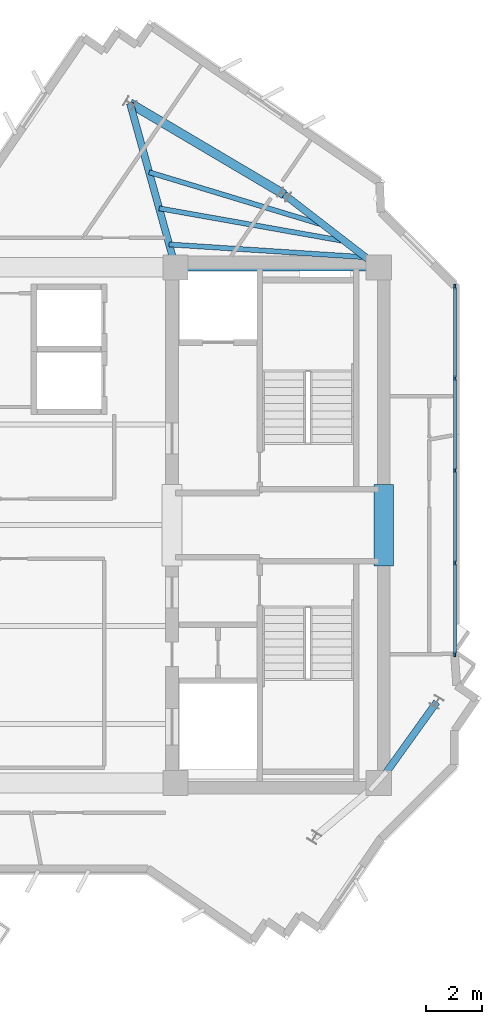
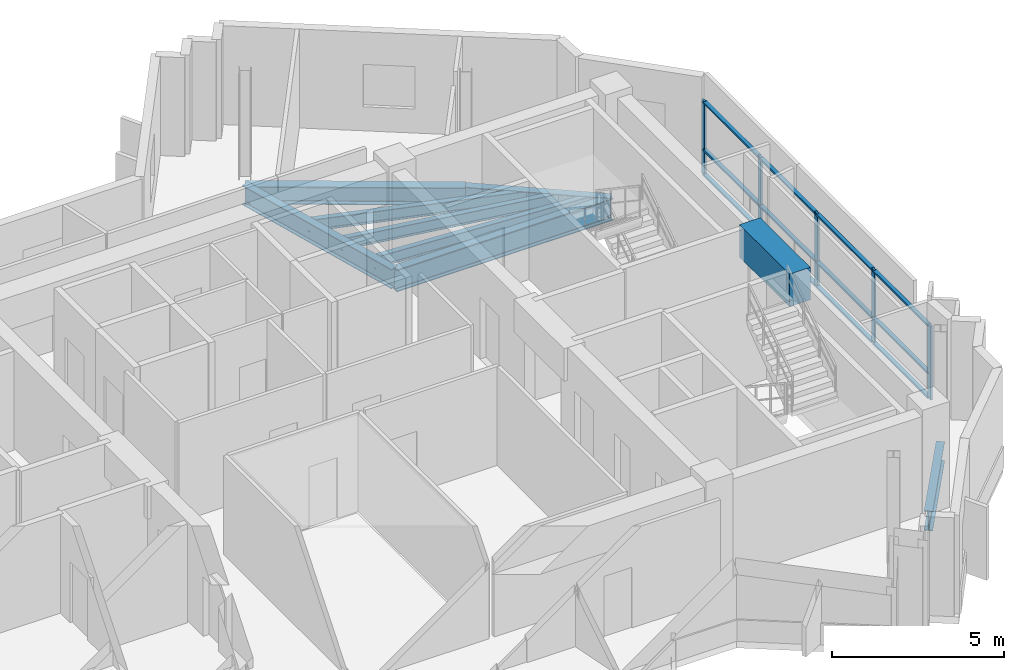
# One storey, part 3 of 11: 17 members, 9 beams, 1 element without a shape of its own.
"""IFC4 building model written with IfcOpenShell, lengths in metres."""

from ifc_helpers import new_model, si_unit, direction, frame, origin, origin_2d, place, context, subcontext, project, spatial, rectangle, i_section, extrude, source, transform, mapped, material, layer, layer_set, material_profile, profile_set, type_object, element, aggregate, save


model = new_model("IFC4")

# Units and contexts
model_context = context("Model", 3, precision=1e-05, world=origin(), true_north=direction((0.0, 1.0)))
body_context = subcontext(model_context, "Body", "Model", "MODEL_VIEW")
ifc_project = project(units=[si_unit("LENGTHUNIT", "METRE"), si_unit("AREAUNIT", "SQUARE_METRE"), si_unit("VOLUMEUNIT", "CUBIC_METRE"), si_unit("PLANEANGLEUNIT", "RADIAN"), si_unit("MASSUNIT", "GRAM", prefix="KILO")], contexts=[model_context])

# Site, building, storey
site_placement = place(None, origin())
site = spatial("IfcSite", under=ifc_project, at=site_placement, CompositionType="ELEMENT")
building_placement = place(site_placement, origin())
building = spatial("IfcBuilding", under=site, at=building_placement, Name="Zahravan Cultural Tower", CompositionType="ELEMENT")
storey_placement = place(building_placement, frame((0.0, 0.0, 331.050048828125)))
storey = spatial("IfcBuildingStorey", under=building, at=storey_placement, Name="L80", CompositionType="ELEMENT", Elevation=331.050048828125)

# Beams
ifc_material_1 = material(Name="Concrete C50/60", Category="concrete")
ifc_material_profile_1 = material_profile(ifc_material_1, rectangle(XDim=0.699951171875, YDim=1.14990234375, at=origin_2d()), Name="RC700X1150")
ifc_profile_set_1 = profile_set([ifc_material_profile_1], Name="Concrete C50/60")
beam_type_1 = type_object("IfcBeamType", Name="BM-LN-RC700X1150", PredefinedType="LINTEL", material=ifc_profile_set_1)
shared_shape_1 = source(origin(), body_context, "Body", "SweptSolid", [
    extrude(rectangle(XDim=0.699951171875, YDim=1.14990234375, at=origin_2d()), origin(), (0.0, 0.0, 1.0), 2.89990234375),
])
beam_1_placement = place(storey_placement, frame((50.52490234375, 25.550048828125, 2.925048828125), z_axis=(0.0, 1.0, 0.0), x_axis=(-1.0, 0.0, 0.0)))
element("IfcBeam", 1, at=beam_1_placement, inside=storey, type_object=beam_type_1, Name="L80 Beam LN-L80-PEE", PredefinedType="LINTEL", context=body_context, shape_type="MappedRepresentation", body=[
    mapped(shared_shape_1, transform((0.0, 0.0, 0.0), x_axis=(1.0, 0.0, 0.0), y_axis=(0.0, 1.0, 0.0), z_axis=(0.0, 0.0, 1.0), scale=1.0)),
])
ifc_material_2 = material(Name="Steel ASTM A992 Grade 50", Category="steel")
ifc_material_profile_2 = material_profile(ifc_material_2, i_section(OverallWidth=0.26611328125, OverallDepth=0.780029296875, WebThickness=0.0166015625, FlangeThickness=0.030029296875, FilletRadius=0.01904296875, at=origin_2d()), Name="W30X148")
ifc_profile_set_2 = profile_set([ifc_material_profile_2], Name="Steel ASTM A992 Grade 50")
beam_type_2 = type_object("IfcBeamType", Name="BM-G-W30X148", PredefinedType="BEAM", material=ifc_profile_set_2)
shared_shape_2 = source(origin(), body_context, "Body", "SweptSolid", [
    extrude(i_section(OverallWidth=0.26611328125, OverallDepth=0.780029296875, WebThickness=0.0166015625, FlangeThickness=0.030029296875, FilletRadius=0.01904296875, at=origin_2d()), origin(), (0.0, 0.0, 1.0), 7.25),
])
beam_2_placement = place(storey_placement, frame((43.10009765625, 36.199951171875, -0.64013671875), z_axis=(1.0, 0.0, 0.0), x_axis=(0.0, 1.0, 0.0)))
element("IfcBeam", 2, at=beam_2_placement, inside=storey, type_object=beam_type_2, Name="L80 Beam BG-L80-05", PredefinedType="BEAM", context=body_context, shape_type="MappedRepresentation", body=[
    mapped(shared_shape_2, transform((0.0, 0.0, 0.0), x_axis=(1.0, 0.0, 0.0), y_axis=(0.0, 1.0, 0.0), z_axis=(0.0, 0.0, 1.0), scale=1.0)),
])
ifc_material_profile_3 = material_profile(ifc_material_2, i_section(OverallWidth=0.326904296875, OverallDepth=0.6220703125, WebThickness=0.015380859375, FlangeThickness=0.0244140625, FilletRadius=0.014892578125, at=origin_2d()), Name="W24X131")
ifc_profile_set_3 = profile_set([ifc_material_profile_3], Name="Steel ASTM A992 Grade 50")
beam_type_3 = type_object("IfcBeamType", Name="BM-SP-W24X131", PredefinedType="SPANDREL", material=ifc_profile_set_3)
shared_shape_3 = source(origin(), body_context, "Body", "SweptSolid", [
    extrude(i_section(OverallWidth=0.326904296875, OverallDepth=0.6220703125, WebThickness=0.015380859375, FlangeThickness=0.0244140625, FilletRadius=0.014892578125, at=origin_2d()), origin(), (0.0, 0.0, 1.0), 6.400634765625),
])
beam_3_placement = place(storey_placement, frame((46.98388671875, 38.7998046875, -0.56103515625), z_axis=(-0.860706991833, 0.509100652337, 0.0), x_axis=(-0.509100652337, -0.860706991833, 0.0)))
element("IfcBeam", 3, at=beam_3_placement, inside=storey, type_object=beam_type_3, Name="L80 Beam SP-L80-17", PredefinedType="SPANDREL", context=body_context, shape_type="MappedRepresentation", body=[
    mapped(shared_shape_3, transform((0.0, 0.0, 0.0), x_axis=(1.0, 0.0, 0.0), y_axis=(0.0, 1.0, 0.0), z_axis=(0.0, 0.0, 1.0), scale=1.0)),
])
ifc_material_profile_4 = material_profile(ifc_material_2, i_section(OverallWidth=0.177978515625, OverallDepth=0.406005859375, WebThickness=0.0078125, FlangeThickness=0.0126953125, FilletRadius=0.011962890625, at=origin_2d()), Name="W16X40")
ifc_profile_set_4 = profile_set([ifc_material_profile_4], Name="Steel ASTM A992 Grade 50")
beam_type_4 = type_object("IfcBeamType", Name="BM-J-W16X40", PredefinedType="JOIST", material=ifc_profile_set_4)
shared_shape_4 = source(origin(), body_context, "Body", "SweptSolid", [
    extrude(i_section(OverallWidth=0.177978515625, OverallDepth=0.406005859375, WebThickness=0.0078125, FlangeThickness=0.0126953125, FilletRadius=0.011962890625, at=origin_2d()), origin(), (0.0, 0.0, 1.0), 7.02099609375),
])
beam_4_placement = place(storey_placement, frame((49.878662109375, 36.56396484375, -0.453125), z_axis=(-0.99788584579, 0.064991066863, 0.0), x_axis=(-0.064991066863, -0.99788584579, 0.0)))
element("IfcBeam", 4, at=beam_4_placement, inside=storey, type_object=beam_type_4, Name="L80 Beam BJ-L80-40", PredefinedType="JOIST", context=body_context, shape_type="MappedRepresentation", body=[
    mapped(shared_shape_4, transform((0.0, 0.0, 0.0), x_axis=(1.0, 0.0, 0.0), y_axis=(0.0, 1.0, 0.0), z_axis=(0.0, 0.0, 1.0), scale=1.0)),
])
shared_shape_5 = source(origin(), body_context, "Body", "SweptSolid", [
    extrude(i_section(OverallWidth=0.177978515625, OverallDepth=0.406005859375, WebThickness=0.0078125, FlangeThickness=0.0126953125, FilletRadius=0.011962890625, at=origin_2d()), origin(), (0.0, 0.0, 1.0), 6.726318359375),
])
beam_5_placement = place(storey_placement, frame((49.13818359375, 37.135986328125, -0.453125), z_axis=(-0.98467447748, 0.17440233198, 0.0), x_axis=(-0.17440233198, -0.98467447748, 0.0)))
element("IfcBeam", 5, at=beam_5_placement, inside=storey, type_object=beam_type_4, Name="L80 Beam BJ-L80-42", PredefinedType="JOIST", context=body_context, shape_type="MappedRepresentation", body=[
    mapped(shared_shape_5, transform((0.0, 0.0, 0.0), x_axis=(1.0, 0.0, 0.0), y_axis=(0.0, 1.0, 0.0), z_axis=(0.0, 0.0, 1.0), scale=1.0)),
])
shared_shape_6 = source(origin(), body_context, "Body", "SweptSolid", [
    extrude(i_section(OverallWidth=0.177978515625, OverallDepth=0.406005859375, WebThickness=0.0078125, FlangeThickness=0.0126953125, FilletRadius=0.011962890625, at=origin_2d()), origin(), (0.0, 0.0, 1.0), 6.520263671875),
])
beam_6_placement = place(storey_placement, frame((48.397705078125, 37.707763671875, -0.453125), z_axis=(-0.957060297679, 0.289888921151, 0.0), x_axis=(-0.289888921151, -0.957060297679, 0.0)))
element("IfcBeam", 6, at=beam_6_placement, inside=storey, type_object=beam_type_4, Name="L80 Beam BJ-L80-44", PredefinedType="JOIST", context=body_context, shape_type="MappedRepresentation", body=[
    mapped(shared_shape_6, transform((0.0, 0.0, 0.0), x_axis=(1.0, 0.0, 0.0), y_axis=(0.0, 1.0, 0.0), z_axis=(0.0, 0.0, 1.0), scale=1.0)),
])
ifc_material_profile_5 = material_profile(ifc_material_2, i_section(OverallWidth=0.25390625, OverallDepth=0.68798828125, WebThickness=0.01318359375, FlangeThickness=0.02099609375, FilletRadius=0.01806640625, at=origin_2d()), Name="W27X102")
ifc_profile_set_5 = profile_set([ifc_material_profile_5], Name="Steel ASTM A992 Grade 50")
beam_type_5 = type_object("IfcBeamType", Name="BM-G-W27X102", PredefinedType="BEAM", material=ifc_profile_set_5)
shared_shape_7 = source(origin(), body_context, "Body", "SweptSolid", [
    extrude(i_section(OverallWidth=0.25390625, OverallDepth=0.68798828125, WebThickness=0.01318359375, FlangeThickness=0.02099609375, FilletRadius=0.01806640625, at=origin_2d()), origin(), (0.0, 0.0, 1.0), 4.25341796875),
])
beam_7_placement = place(storey_placement, frame((50.35009765625, 36.199951171875, -0.593994140625), z_axis=(-0.791433936253, 0.611254713313, 0.0), x_axis=(-0.611254713313, -0.791433936253, 0.0)))
element("IfcBeam", 7, at=beam_7_placement, inside=storey, type_object=beam_type_5, Name="L80 Beam BG-L80-11", PredefinedType="BEAM", context=body_context, shape_type="MappedRepresentation", body=[
    mapped(shared_shape_7, transform((0.0, 0.0, 0.0), x_axis=(1.0, 0.0, 0.0), y_axis=(0.0, 1.0, 0.0), z_axis=(0.0, 0.0, 1.0), scale=1.0)),
])
shared_shape_8 = source(origin(), body_context, "Body", "SweptSolid", [
    extrude(i_section(OverallWidth=0.25390625, OverallDepth=0.68798828125, WebThickness=0.01318359375, FlangeThickness=0.02099609375, FilletRadius=0.01806640625, at=origin_2d()), origin(), (0.0, 0.0, 1.0), 6.07958984375),
])
beam_8_placement = place(storey_placement, frame((43.10009765625, 36.199951171875, -0.593994140625), z_axis=(-0.267324894686, 0.963606455292, 0.0), x_axis=(-0.963606455292, -0.267324894686, 0.0)))
element("IfcBeam", 8, at=beam_8_placement, inside=storey, type_object=beam_type_5, Name="L80 Beam BG-L80-12", PredefinedType="BEAM", context=body_context, shape_type="MappedRepresentation", body=[
    mapped(shared_shape_8, transform((0.0, 0.0, 0.0), x_axis=(1.0, 0.0, 0.0), y_axis=(0.0, 1.0, 0.0), z_axis=(0.0, 0.0, 1.0), scale=1.0)),
])
shared_shape_9 = source(origin(), body_context, "Body", "SweptSolid", [
    extrude(i_section(OverallWidth=0.25390625, OverallDepth=0.68798828125, WebThickness=0.01318359375, FlangeThickness=0.02099609375, FilletRadius=0.01806640625, at=origin_2d()), origin(), (0.0, 0.0, 1.0), 3.5556640625),
])
beam_9_placement = place(storey_placement, frame((50.35009765625, 17.800048828125, -0.593994140625), z_axis=(0.58288028137, 0.812558045674, 0.0), x_axis=(-0.812558045674, 0.58288028137, 0.0)))
element("IfcBeam", 9, at=beam_9_placement, inside=storey, type_object=beam_type_5, Name="L80 Beam BG-L80-10", PredefinedType="BEAM", context=body_context, shape_type="MappedRepresentation", body=[
    mapped(shared_shape_9, transform((0.0, 0.0, 0.0), x_axis=(1.0, 0.0, 0.0), y_axis=(0.0, 1.0, 0.0), z_axis=(0.0, 0.0, 1.0), scale=1.0)),
])

# Curtain wall, members
ifc_material_3 = material(Name="Anodised bronze-aluminium mullion", Category="aluminium")
ifc_layer = layer(ifc_material_3, 0.1650390625)
ifc_layer_set = layer_set([ifc_layer], Name="Anodised bronze-aluminium mullion")
curtain_wall_type = type_object("IfcCurtainWallType", Name="CW-SYS-4", PredefinedType="USERDEFINED", material=ifc_layer_set)
curtain_wall_placement = place(storey_placement, origin())
curtain_wall = element("IfcCurtainWall", 10, at=curtain_wall_placement, inside=storey, type_object=curtain_wall_type, Name="L80 Recessed Curtain Wall CW-4.2", ObjectType="RECESSED GLAZING", PredefinedType="USERDEFINED")
ifc_material_profile_6 = material_profile(ifc_material_3, rectangle(XDim=0.06494140625, YDim=0.1650390625, at=origin_2d()), Name="AL-M65X165")
ifc_profile_set_6 = profile_set([ifc_material_profile_6], Name="Anodised bronze-aluminium mullion")
member_type_1 = type_object("IfcMemberType", Name="CWM-CW-4", PredefinedType="MULLION", material=ifc_profile_set_6)
shared_shape_10 = source(origin(), body_context, "Body", "SweptSolid", [
    extrude(rectangle(XDim=0.06494140625, YDim=0.1650390625, at=origin_2d()), origin(), (0.0, 0.0, 1.0), 2.619873046875),
])
member_1_placement = place(storey_placement, frame((53.06005859375, 35.509521484375, 0.0), z_axis=(0.0, 0.0, 1.0), x_axis=(1.0, 0.0, 0.0)))
member_1 = element("IfcMember", 11, at=member_1_placement, type_object=member_type_1, Name="CW-4 mullion 1", PredefinedType="MULLION", context=body_context, shape_type="MappedRepresentation", body=[
    mapped(shared_shape_10, transform((0.0, 0.0, 0.0), x_axis=(1.0, 0.0, 0.0), y_axis=(0.0, 1.0, 0.0), z_axis=(0.0, 0.0, 1.0), scale=1.0)),
])
member_2_placement = place(storey_placement, frame((53.06005859375, 32.24658203125, 0.0), z_axis=(0.0, 0.0, 1.0), x_axis=(1.0, 0.0, 0.0)))
member_2 = element("IfcMember", 12, at=member_2_placement, type_object=member_type_1, Name="CW-4 mullion 2", PredefinedType="MULLION", context=body_context, shape_type="MappedRepresentation", body=[
    mapped(shared_shape_10, transform((0.0, 0.0, 0.0), x_axis=(1.0, 0.0, 0.0), y_axis=(0.0, 1.0, 0.0), z_axis=(0.0, 0.0, 1.0), scale=1.0)),
])
member_3_placement = place(storey_placement, frame((53.06005859375, 28.951171875, 0.0), z_axis=(0.0, 0.0, 1.0), x_axis=(1.0, 0.0, 0.0)))
member_3 = element("IfcMember", 13, at=member_3_placement, type_object=member_type_1, Name="CW-4 mullion 3", PredefinedType="MULLION", context=body_context, shape_type="MappedRepresentation", body=[
    mapped(shared_shape_10, transform((0.0, 0.0, 0.0), x_axis=(1.0, 0.0, 0.0), y_axis=(0.0, 1.0, 0.0), z_axis=(0.0, 0.0, 1.0), scale=1.0)),
])
member_4_placement = place(storey_placement, frame((53.06005859375, 25.65576171875, 0.0), z_axis=(0.0, 0.0, 1.0), x_axis=(1.0, 0.0, 0.0)))
member_4 = element("IfcMember", 14, at=member_4_placement, type_object=member_type_1, Name="CW-4 mullion 4", PredefinedType="MULLION", context=body_context, shape_type="MappedRepresentation", body=[
    mapped(shared_shape_10, transform((0.0, 0.0, 0.0), x_axis=(1.0, 0.0, 0.0), y_axis=(0.0, 1.0, 0.0), z_axis=(0.0, 0.0, 1.0), scale=1.0)),
])
member_5_placement = place(storey_placement, frame((53.06005859375, 22.392578125, 0.0), z_axis=(0.0, 0.0, 1.0), x_axis=(1.0, 0.0, 0.0)))
member_5 = element("IfcMember", 15, at=member_5_placement, type_object=member_type_1, Name="CW-4 mullion 5", PredefinedType="MULLION", context=body_context, shape_type="MappedRepresentation", body=[
    mapped(shared_shape_10, transform((0.0, 0.0, 0.0), x_axis=(1.0, 0.0, 0.0), y_axis=(0.0, 1.0, 0.0), z_axis=(0.0, 0.0, 1.0), scale=1.0)),
])
ifc_material_profile_7 = material_profile(ifc_material_3, rectangle(XDim=0.1298828125, YDim=0.06494140625, at=origin_2d()), Name="AL-T65X130")
ifc_profile_set_7 = profile_set([ifc_material_profile_7], Name="Anodised bronze-aluminium mullion")
member_type_2 = type_object("IfcMemberType", Name="CWT-CW-4", PredefinedType="USERDEFINED", material=ifc_profile_set_7)
shared_shape_11 = source(origin(), body_context, "Body", "SweptSolid", [
    extrude(rectangle(XDim=0.1298828125, YDim=0.06494140625, at=origin_2d()), origin(), (0.0, 0.0, 1.0), 3.197998046875),
])
member_6_placement = place(storey_placement, frame((53.06005859375, 35.47705078125, 0.032470703125), z_axis=(0.0, -1.0, 0.0), x_axis=(1.0, 0.0, 0.0)))
member_6 = element("IfcMember", 16, at=member_6_placement, type_object=member_type_2, Name="CW-4 transom 1.1", ObjectType="TRANSOM", PredefinedType="USERDEFINED", context=body_context, shape_type="MappedRepresentation", body=[
    mapped(shared_shape_11, transform((0.0, 0.0, 0.0), x_axis=(1.0, 0.0, 0.0), y_axis=(0.0, 1.0, 0.0), z_axis=(0.0, 0.0, 1.0), scale=1.0)),
])
member_7_placement = place(storey_placement, frame((53.06005859375, 35.47705078125, 0.89990234375), z_axis=(0.0, -1.0, 0.0), x_axis=(1.0, 0.0, 0.0)))
member_7 = element("IfcMember", 17, at=member_7_placement, type_object=member_type_2, Name="CW-4 transom 1.2", ObjectType="TRANSOM", PredefinedType="USERDEFINED", context=body_context, shape_type="MappedRepresentation", body=[
    mapped(shared_shape_11, transform((0.0, 0.0, 0.0), x_axis=(1.0, 0.0, 0.0), y_axis=(0.0, 1.0, 0.0), z_axis=(0.0, 0.0, 1.0), scale=1.0)),
])
member_8_placement = place(storey_placement, frame((53.06005859375, 35.47705078125, 2.58740234375), z_axis=(0.0, -1.0, 0.0), x_axis=(1.0, 0.0, 0.0)))
member_8 = element("IfcMember", 18, at=member_8_placement, type_object=member_type_2, Name="CW-4 transom 1.3", ObjectType="TRANSOM", PredefinedType="USERDEFINED", context=body_context, shape_type="MappedRepresentation", body=[
    mapped(shared_shape_11, transform((0.0, 0.0, 0.0), x_axis=(1.0, 0.0, 0.0), y_axis=(0.0, 1.0, 0.0), z_axis=(0.0, 0.0, 1.0), scale=1.0)),
])
shared_shape_12 = source(origin(), body_context, "Body", "SweptSolid", [
    extrude(rectangle(XDim=0.1298828125, YDim=0.06494140625, at=origin_2d()), origin(), (0.0, 0.0, 1.0), 3.23046875),
])
member_9_placement = place(storey_placement, frame((53.06005859375, 32.214111328125, 0.032470703125), z_axis=(0.0, -1.0, 0.0), x_axis=(1.0, 0.0, 0.0)))
member_9 = element("IfcMember", 19, at=member_9_placement, type_object=member_type_2, Name="CW-4 transom 2.1", ObjectType="TRANSOM", PredefinedType="USERDEFINED", context=body_context, shape_type="MappedRepresentation", body=[
    mapped(shared_shape_12, transform((0.0, 0.0, 0.0), x_axis=(1.0, 0.0, 0.0), y_axis=(0.0, 1.0, 0.0), z_axis=(0.0, 0.0, 1.0), scale=1.0)),
])
member_10_placement = place(storey_placement, frame((53.06005859375, 32.214111328125, 0.89990234375), z_axis=(0.0, -1.0, 0.0), x_axis=(1.0, 0.0, 0.0)))
member_10 = element("IfcMember", 20, at=member_10_placement, type_object=member_type_2, Name="CW-4 transom 2.2", ObjectType="TRANSOM", PredefinedType="USERDEFINED", context=body_context, shape_type="MappedRepresentation", body=[
    mapped(shared_shape_12, transform((0.0, 0.0, 0.0), x_axis=(1.0, 0.0, 0.0), y_axis=(0.0, 1.0, 0.0), z_axis=(0.0, 0.0, 1.0), scale=1.0)),
])
member_11_placement = place(storey_placement, frame((53.06005859375, 32.214111328125, 2.58740234375), z_axis=(0.0, -1.0, 0.0), x_axis=(1.0, 0.0, 0.0)))
member_11 = element("IfcMember", 21, at=member_11_placement, type_object=member_type_2, Name="CW-4 transom 2.3", ObjectType="TRANSOM", PredefinedType="USERDEFINED", context=body_context, shape_type="MappedRepresentation", body=[
    mapped(shared_shape_12, transform((0.0, 0.0, 0.0), x_axis=(1.0, 0.0, 0.0), y_axis=(0.0, 1.0, 0.0), z_axis=(0.0, 0.0, 1.0), scale=1.0)),
])
member_12_placement = place(storey_placement, frame((53.06005859375, 28.918701171875, 0.032470703125), z_axis=(0.0, -1.0, 0.0), x_axis=(1.0, 0.0, 0.0)))
member_12 = element("IfcMember", 22, at=member_12_placement, type_object=member_type_2, Name="CW-4 transom 3.1", ObjectType="TRANSOM", PredefinedType="USERDEFINED", context=body_context, shape_type="MappedRepresentation", body=[
    mapped(shared_shape_12, transform((0.0, 0.0, 0.0), x_axis=(1.0, 0.0, 0.0), y_axis=(0.0, 1.0, 0.0), z_axis=(0.0, 0.0, 1.0), scale=1.0)),
])
member_13_placement = place(storey_placement, frame((53.06005859375, 28.918701171875, 0.89990234375), z_axis=(0.0, -1.0, 0.0), x_axis=(1.0, 0.0, 0.0)))
member_13 = element("IfcMember", 23, at=member_13_placement, type_object=member_type_2, Name="CW-4 transom 3.2", ObjectType="TRANSOM", PredefinedType="USERDEFINED", context=body_context, shape_type="MappedRepresentation", body=[
    mapped(shared_shape_12, transform((0.0, 0.0, 0.0), x_axis=(1.0, 0.0, 0.0), y_axis=(0.0, 1.0, 0.0), z_axis=(0.0, 0.0, 1.0), scale=1.0)),
])
member_14_placement = place(storey_placement, frame((53.06005859375, 28.918701171875, 2.58740234375), z_axis=(0.0, -1.0, 0.0), x_axis=(1.0, 0.0, 0.0)))
member_14 = element("IfcMember", 24, at=member_14_placement, type_object=member_type_2, Name="CW-4 transom 3.3", ObjectType="TRANSOM", PredefinedType="USERDEFINED", context=body_context, shape_type="MappedRepresentation", body=[
    mapped(shared_shape_12, transform((0.0, 0.0, 0.0), x_axis=(1.0, 0.0, 0.0), y_axis=(0.0, 1.0, 0.0), z_axis=(0.0, 0.0, 1.0), scale=1.0)),
])
shared_shape_13 = source(origin(), body_context, "Body", "SweptSolid", [
    extrude(rectangle(XDim=0.1298828125, YDim=0.06494140625, at=origin_2d()), origin(), (0.0, 0.0, 1.0), 3.19775390625),
])
member_15_placement = place(storey_placement, frame((53.06005859375, 25.623046875, 0.032470703125), z_axis=(0.0, -1.0, 0.0), x_axis=(1.0, 0.0, 0.0)))
member_15 = element("IfcMember", 25, at=member_15_placement, type_object=member_type_2, Name="CW-4 transom 4.1", ObjectType="TRANSOM", PredefinedType="USERDEFINED", context=body_context, shape_type="MappedRepresentation", body=[
    mapped(shared_shape_13, transform((0.0, 0.0, 0.0), x_axis=(1.0, 0.0, 0.0), y_axis=(0.0, 1.0, 0.0), z_axis=(0.0, 0.0, 1.0), scale=1.0)),
])
member_16_placement = place(storey_placement, frame((53.06005859375, 25.623046875, 0.89990234375), z_axis=(0.0, -1.0, 0.0), x_axis=(1.0, 0.0, 0.0)))
member_16 = element("IfcMember", 26, at=member_16_placement, type_object=member_type_2, Name="CW-4 transom 4.2", ObjectType="TRANSOM", PredefinedType="USERDEFINED", context=body_context, shape_type="MappedRepresentation", body=[
    mapped(shared_shape_13, transform((0.0, 0.0, 0.0), x_axis=(1.0, 0.0, 0.0), y_axis=(0.0, 1.0, 0.0), z_axis=(0.0, 0.0, 1.0), scale=1.0)),
])
member_17_placement = place(storey_placement, frame((53.06005859375, 25.623046875, 2.58740234375), z_axis=(0.0, -1.0, 0.0), x_axis=(1.0, 0.0, 0.0)))
member_17 = element("IfcMember", 27, at=member_17_placement, type_object=member_type_2, Name="CW-4 transom 4.3", ObjectType="TRANSOM", PredefinedType="USERDEFINED", context=body_context, shape_type="MappedRepresentation", body=[
    mapped(shared_shape_13, transform((0.0, 0.0, 0.0), x_axis=(1.0, 0.0, 0.0), y_axis=(0.0, 1.0, 0.0), z_axis=(0.0, 0.0, 1.0), scale=1.0)),
])
aggregate(curtain_wall, [member_1, member_2, member_3, member_4, member_5, member_6, member_7, member_8, member_9, member_10, member_11, member_12, member_13, member_14, member_15, member_16, member_17])

save(model, "model.ifc")
